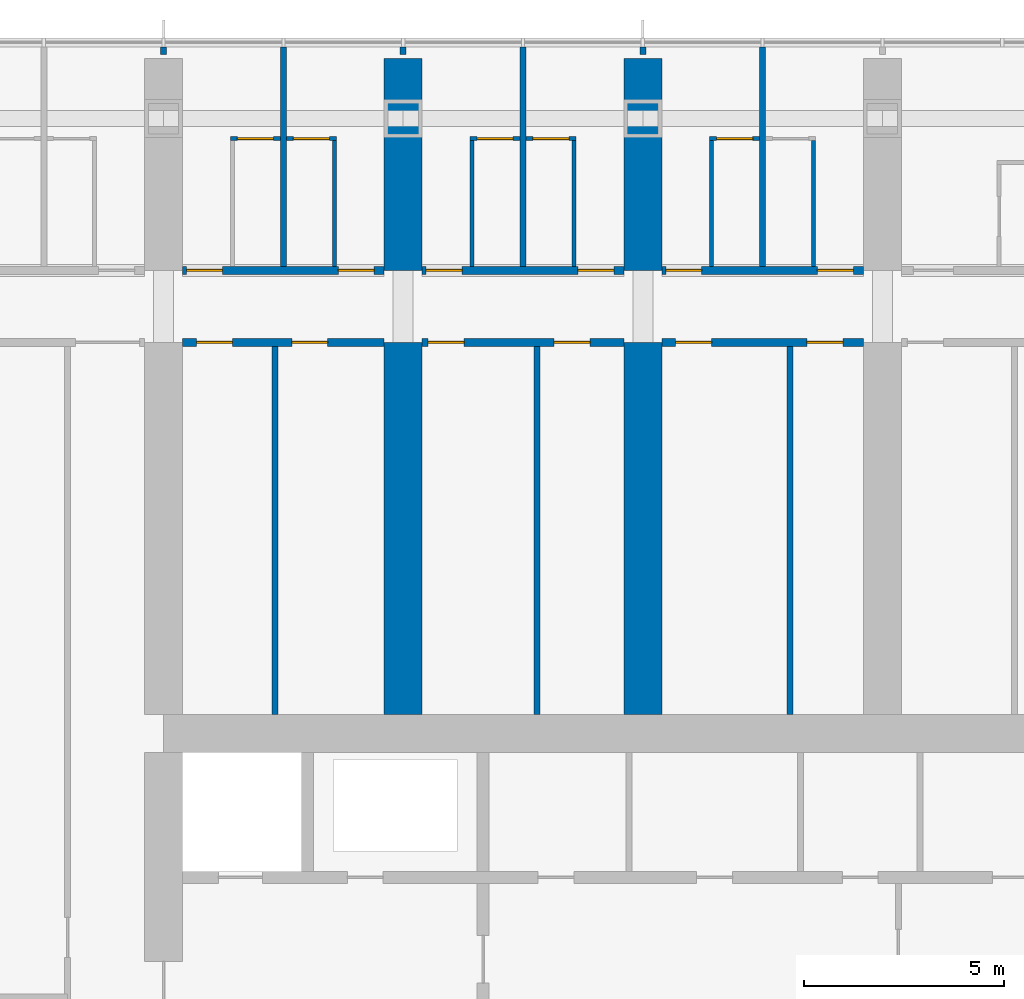
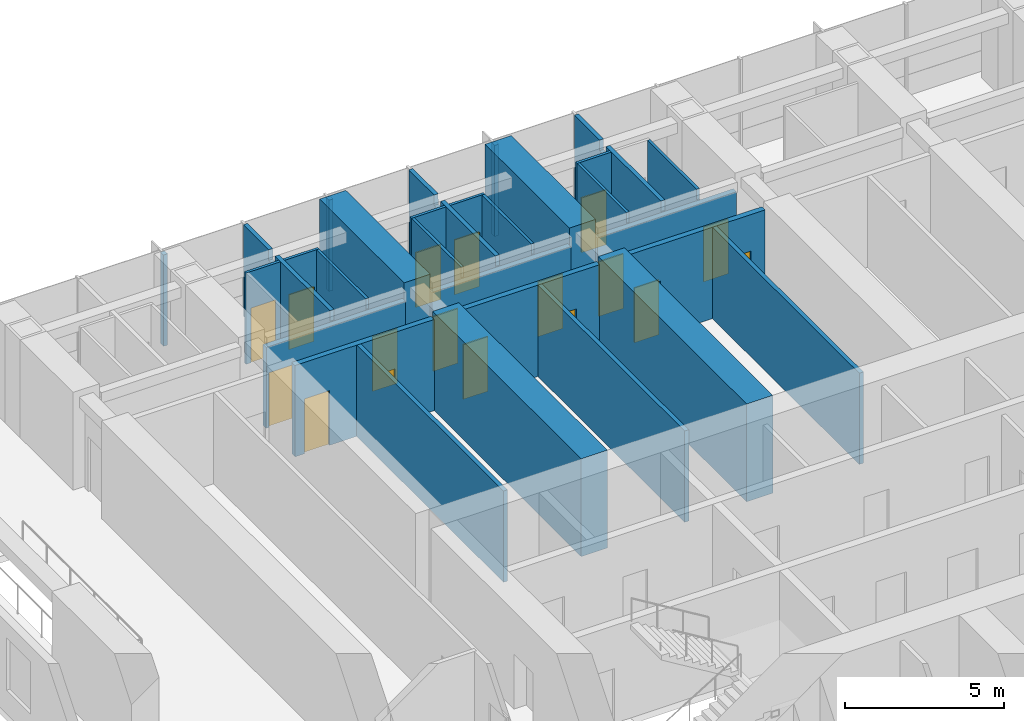
# One storey, part 14 of 22: 29 walls, 17 doors, 17 openings.
"""IFC4 building model written with IfcOpenShell, lengths in metres."""

from ifc_helpers import new_model, si_unit, direction, frame, frame_2d, origin, place, context, subcontext, project, spatial, polyline, rectangle, outline, extrude, material, layer, layer_set, type_object, element, fill, save


model = new_model("IFC4")

# Units and contexts
model_context = context("Model", 3, precision=1e-05, world=origin(), true_north=direction((0.0, 1.0)))
body_context = subcontext(model_context, "Body", "Model", "MODEL_VIEW")
ifc_project = project(units=[si_unit("LENGTHUNIT", "METRE"), si_unit("AREAUNIT", "SQUARE_METRE"), si_unit("VOLUMEUNIT", "CUBIC_METRE"), si_unit("PLANEANGLEUNIT", "RADIAN"), si_unit("MASSUNIT", "GRAM", prefix="KILO")], contexts=[model_context])

# Site, building, storey
site_placement = place(None, origin())
site = spatial("IfcSite", under=ifc_project, at=site_placement, CompositionType="ELEMENT")
building_placement = place(site_placement, origin())
building = spatial("IfcBuilding", under=site, at=building_placement, Name="Orbita Commons", CompositionType="ELEMENT")
storey_placement = place(building_placement, frame((0.0, 0.0, 118.14990234375)))
storey = spatial("IfcBuildingStorey", under=building, at=storey_placement, Name="L29", CompositionType="ELEMENT", Elevation=118.14990234375)

# Wall, openings, doors
ifc_material_1 = material(Name="Concrete blockwork", Category="masonry")
ifc_layer_1 = layer(ifc_material_1, 0.199951171875)
ifc_layer_set_1 = layer_set([ifc_layer_1], Name="Concrete blockwork")
wall_type_1 = type_object("IfcWallType", Name="Corridor wall 200 blockwork", PredefinedType="SOLIDWALL", material=ifc_layer_set_1)
wall_1_placement = place(storey_placement, frame((18.47509765625, 49.800048828125, 0.0), z_axis=(0.0, 0.0, 1.0), x_axis=(1.0, 0.0, 0.0)))
wall_1 = element("IfcWall", 1, at=wall_1_placement, inside=storey, type_object=wall_type_1, Name="Corridor wall 200 blockwork L29", PredefinedType="SOLIDWALL", context=body_context, shape_type="SweptSolid", body=[
    extrude(outline(polyline([(0.0, 0.0), (5.0498046875, 0.0), (5.050048828125, 3.10009765625), (0.0, 3.10009765625), (0.0, 0.0)])), frame((0.0, 0.10009765625, 0.0), z_axis=(0.0, -1.0, 0.0), x_axis=(1.0, 0.0, 0.0)), (0.0, 0.0, 1.0), 0.199951171875),
])
opening_1_placement = place(wall_1_placement, frame((0.10009765625, 0.0, 0.0)))
opening_1 = element("IfcOpeningElement", 2, at=opening_1_placement, cuts=wall_1, Name="Opening D11", PredefinedType="OPENING", context=body_context, shape_type="SweptSolid", body=[
    extrude(rectangle(XDim=0.89990234375, YDim=2.10009765625, at=frame_2d((0.449951171875, 1.050048828125))), frame((0.0, 0.10986328125, 0.0), z_axis=(0.0, -1.0, 0.0), x_axis=(1.0, 0.0, 0.0)), (0.0, 0.0, 1.0), 0.219970703125),
])
opening_2_placement = place(wall_1_placement, frame((3.89990234375, 0.0, 0.0)))
opening_2 = element("IfcOpeningElement", 3, at=opening_2_placement, cuts=wall_1, Name="Opening D11", PredefinedType="OPENING", context=body_context, shape_type="SweptSolid", body=[
    extrude(rectangle(XDim=0.89990234375, YDim=2.10009765625, at=frame_2d((0.449951171875, 1.050048828125))), frame((0.0, 0.10986328125, 0.0), z_axis=(0.0, -1.0, 0.0), x_axis=(1.0, 0.0, 0.0)), (0.0, 0.0, 1.0), 0.219970703125),
])
ifc_material_2 = material(Name="Steel-faced fire door leaf", Category="steel")
door_type_1 = type_object("IfcDoorType", Name="Corridor door 20 min 900x2100", OperationType="SINGLE_SWING_LEFT", PredefinedType="DOOR", material=ifc_material_2)
door_1_placement = place(opening_1_placement, origin())
door_1 = element("IfcDoor", 4, at=door_1_placement, inside=storey, type_object=door_type_1, Name="Cluster bedroom L29-N02 door", OperationType="SINGLE_SWING_LEFT", OverallHeight=2.10009765625, OverallWidth=0.89990234375, PredefinedType="DOOR", context=body_context, shape_type="SweptSolid", body=[
    extrude(rectangle(XDim=0.89990234375, YDim=2.10009765625, at=frame_2d((0.449951171875, 1.050048828125))), frame((0.0, 0.02490234375, 0.0), z_axis=(0.0, -1.0, 0.0), x_axis=(1.0, 0.0, 0.0)), (0.0, 0.0, 1.0), 0.050048828125),
])
fill(opening_1, door_1)
door_2_placement = place(opening_2_placement, origin())
door_2 = element("IfcDoor", 5, at=door_2_placement, inside=storey, type_object=door_type_1, Name="Cluster bedroom L29-N03 door", OperationType="SINGLE_SWING_LEFT", OverallHeight=2.10009765625, OverallWidth=0.89990234375, PredefinedType="DOOR", context=body_context, shape_type="SweptSolid", body=[
    extrude(rectangle(XDim=0.89990234375, YDim=2.10009765625, at=frame_2d((0.449951171875, 1.050048828125))), frame((0.0, 0.02490234375, 0.0), z_axis=(0.0, -1.0, 0.0), x_axis=(1.0, 0.0, 0.0)), (0.0, 0.0, 1.0), 0.050048828125),
])
fill(opening_2, door_2)

wall_2_placement = place(storey_placement, frame((24.47509765625, 49.800048828125, 0.0), z_axis=(0.0, 0.0, 1.0), x_axis=(1.0, 0.0, 0.0)))
wall_2 = element("IfcWall", 6, at=wall_2_placement, inside=storey, type_object=wall_type_1, Name="Corridor wall 200 blockwork L29", PredefinedType="SOLIDWALL", context=body_context, shape_type="SweptSolid", body=[
    extrude(outline(polyline([(0.0, 0.0), (5.0498046875, 0.0), (5.050048828125, 3.10009765625), (0.0, 3.10009765625), (0.0, 0.0)])), frame((0.0, 0.10009765625, 0.0), z_axis=(0.0, -1.0, 0.0), x_axis=(1.0, 0.0, 0.0)), (0.0, 0.0, 1.0), 0.199951171875),
])
opening_3_placement = place(wall_2_placement, frame((0.10009765625, 0.0, 0.0)))
opening_3 = element("IfcOpeningElement", 7, at=opening_3_placement, cuts=wall_2, Name="Opening D11", PredefinedType="OPENING", context=body_context, shape_type="SweptSolid", body=[
    extrude(rectangle(XDim=0.89990234375, YDim=2.10009765625, at=frame_2d((0.449951171875, 1.050048828125))), frame((0.0, 0.10986328125, 0.0), z_axis=(0.0, -1.0, 0.0), x_axis=(1.0, 0.0, 0.0)), (0.0, 0.0, 1.0), 0.219970703125),
])
opening_4_placement = place(wall_2_placement, frame((3.89990234375, 0.0, 0.0)))
opening_4 = element("IfcOpeningElement", 8, at=opening_4_placement, cuts=wall_2, Name="Opening D11", PredefinedType="OPENING", context=body_context, shape_type="SweptSolid", body=[
    extrude(rectangle(XDim=0.89990234375, YDim=2.10009765625, at=frame_2d((0.449951171875, 1.050048828125))), frame((0.0, 0.10986328125, 0.0), z_axis=(0.0, -1.0, 0.0), x_axis=(1.0, 0.0, 0.0)), (0.0, 0.0, 1.0), 0.219970703125),
])
door_3_placement = place(opening_3_placement, origin())
door_3 = element("IfcDoor", 9, at=door_3_placement, inside=storey, type_object=door_type_1, Name="Cluster bedroom L29-N04 door", OperationType="SINGLE_SWING_LEFT", OverallHeight=2.10009765625, OverallWidth=0.89990234375, PredefinedType="DOOR", context=body_context, shape_type="SweptSolid", body=[
    extrude(rectangle(XDim=0.89990234375, YDim=2.10009765625, at=frame_2d((0.449951171875, 1.050048828125))), frame((0.0, 0.02490234375, 0.0), z_axis=(0.0, -1.0, 0.0), x_axis=(1.0, 0.0, 0.0)), (0.0, 0.0, 1.0), 0.050048828125),
])
fill(opening_3, door_3)
door_4_placement = place(opening_4_placement, origin())
door_4 = element("IfcDoor", 10, at=door_4_placement, inside=storey, type_object=door_type_1, Name="Cluster bedroom L29-N05 door", OperationType="SINGLE_SWING_LEFT", OverallHeight=2.10009765625, OverallWidth=0.89990234375, PredefinedType="DOOR", context=body_context, shape_type="SweptSolid", body=[
    extrude(rectangle(XDim=0.89990234375, YDim=2.10009765625, at=frame_2d((0.449951171875, 1.050048828125))), frame((0.0, 0.02490234375, 0.0), z_axis=(0.0, -1.0, 0.0), x_axis=(1.0, 0.0, 0.0)), (0.0, 0.0, 1.0), 0.050048828125),
])
fill(opening_4, door_4)

wall_3_placement = place(storey_placement, frame((30.47509765625, 49.800048828125, 0.0), z_axis=(0.0, 0.0, 1.0), x_axis=(1.0, 0.0, 0.0)))
wall_3 = element("IfcWall", 11, at=wall_3_placement, inside=storey, type_object=wall_type_1, Name="Corridor wall 200 blockwork L29", PredefinedType="SOLIDWALL", context=body_context, shape_type="SweptSolid", body=[
    extrude(outline(polyline([(0.0, 0.0), (5.0498046875, 0.0), (5.050048828125, 3.10009765625), (0.0, 3.10009765625), (0.0, 0.0)])), frame((0.0, 0.10009765625, 0.0), z_axis=(0.0, -1.0, 0.0), x_axis=(1.0, 0.0, 0.0)), (0.0, 0.0, 1.0), 0.199951171875),
])
opening_5_placement = place(wall_3_placement, frame((0.10009765625, 0.0, 0.0)))
opening_5 = element("IfcOpeningElement", 12, at=opening_5_placement, cuts=wall_3, Name="Opening D11", PredefinedType="OPENING", context=body_context, shape_type="SweptSolid", body=[
    extrude(rectangle(XDim=0.89990234375, YDim=2.10009765625, at=frame_2d((0.449951171875, 1.050048828125))), frame((0.0, 0.10986328125, 0.0), z_axis=(0.0, -1.0, 0.0), x_axis=(1.0, 0.0, 0.0)), (0.0, 0.0, 1.0), 0.219970703125),
])
opening_6_placement = place(wall_3_placement, frame((3.89990234375, 0.0, 0.0)))
opening_6 = element("IfcOpeningElement", 13, at=opening_6_placement, cuts=wall_3, Name="Opening D11", PredefinedType="OPENING", context=body_context, shape_type="SweptSolid", body=[
    extrude(rectangle(XDim=0.89990234375, YDim=2.10009765625, at=frame_2d((0.449951171875, 1.050048828125))), frame((0.0, 0.10986328125, 0.0), z_axis=(0.0, -1.0, 0.0), x_axis=(1.0, 0.0, 0.0)), (0.0, 0.0, 1.0), 0.219970703125),
])
door_5_placement = place(opening_5_placement, origin())
door_5 = element("IfcDoor", 14, at=door_5_placement, inside=storey, type_object=door_type_1, Name="Cluster bedroom L29-N06 door", OperationType="SINGLE_SWING_LEFT", OverallHeight=2.10009765625, OverallWidth=0.89990234375, PredefinedType="DOOR", context=body_context, shape_type="SweptSolid", body=[
    extrude(rectangle(XDim=0.89990234375, YDim=2.10009765625, at=frame_2d((0.449951171875, 1.050048828125))), frame((0.0, 0.02490234375, 0.0), z_axis=(0.0, -1.0, 0.0), x_axis=(1.0, 0.0, 0.0)), (0.0, 0.0, 1.0), 0.050048828125),
])
fill(opening_5, door_5)
door_6_placement = place(opening_6_placement, origin())
door_6 = element("IfcDoor", 15, at=door_6_placement, inside=storey, type_object=door_type_1, Name="Cluster bedroom L29-N07 door", OperationType="SINGLE_SWING_LEFT", OverallHeight=2.10009765625, OverallWidth=0.89990234375, PredefinedType="DOOR", context=body_context, shape_type="SweptSolid", body=[
    extrude(rectangle(XDim=0.89990234375, YDim=2.10009765625, at=frame_2d((0.449951171875, 1.050048828125))), frame((0.0, 0.02490234375, 0.0), z_axis=(0.0, -1.0, 0.0), x_axis=(1.0, 0.0, 0.0)), (0.0, 0.0, 1.0), 0.050048828125),
])
fill(opening_6, door_6)

ifc_material_3 = material(Name="Hollow concrete block 200", Category="concrete")
ifc_layer_2 = layer(ifc_material_3, 0.199951171875)
ifc_layer_set_2 = layer_set([ifc_layer_2], Name="Hollow concrete block 200")
wall_type_2 = type_object("IfcWallType", Name="Corridor wall 200 hollow concrete block", PredefinedType="SOLIDWALL", material=ifc_layer_set_2)
wall_4_placement = place(storey_placement, frame((18.47509765625, 48.0, 0.0), z_axis=(0.0, 0.0, 1.0), x_axis=(1.0, 0.0, 0.0)))
wall_4 = element("IfcWall", 16, at=wall_4_placement, inside=storey, type_object=wall_type_2, Name="Corridor wall 200 hollow concrete block L29", PredefinedType="SOLIDWALL", context=body_context, shape_type="SweptSolid", body=[
    extrude(rectangle(XDim=5.0498046875, YDim=0.199951171875, at=frame_2d((2.52490234375, 0.0))), origin(), (0.0, 0.0, 1.0), 3.5),
])
opening_7_placement = place(wall_4_placement, frame((0.35009765625, 0.0, 0.0)))
opening_7 = element("IfcOpeningElement", 17, at=opening_7_placement, cuts=wall_4, Name="Opening D11", PredefinedType="OPENING", context=body_context, shape_type="SweptSolid", body=[
    extrude(rectangle(XDim=0.89990234375, YDim=2.10009765625, at=frame_2d((0.449951171875, 1.050048828125))), frame((0.0, 0.10986328125, 0.0), z_axis=(0.0, -1.0, 0.0), x_axis=(1.0, 0.0, 0.0)), (0.0, 0.0, 1.0), 0.219970703125),
])
opening_8_placement = place(wall_4_placement, frame((2.735107421875, 0.0, 0.0)))
opening_8 = element("IfcOpeningElement", 18, at=opening_8_placement, cuts=wall_4, Name="Opening D11", PredefinedType="OPENING", context=body_context, shape_type="SweptSolid", body=[
    extrude(rectangle(XDim=0.89990234375, YDim=2.10009765625, at=frame_2d((0.449951171875, 1.050048828125))), frame((0.0, 0.10986328125, 0.0), z_axis=(0.0, -1.0, 0.0), x_axis=(1.0, 0.0, 0.0)), (0.0, 0.0, 1.0), 0.219970703125),
])
door_7_placement = place(opening_7_placement, origin())
door_7 = element("IfcDoor", 19, at=door_7_placement, inside=storey, type_object=door_type_1, Name="Equipment store L29-BDN18n door", OperationType="SINGLE_SWING_LEFT", OverallHeight=2.10009765625, OverallWidth=0.89990234375, PredefinedType="DOOR", context=body_context, shape_type="SweptSolid", body=[
    extrude(rectangle(XDim=0.89990234375, YDim=2.10009765625, at=frame_2d((0.449951171875, 1.050048828125))), frame((0.0, 0.02490234375, 0.0), z_axis=(0.0, -1.0, 0.0), x_axis=(1.0, 0.0, 0.0)), (0.0, 0.0, 1.0), 0.050048828125),
])
fill(opening_7, door_7)
door_8_placement = place(opening_8_placement, origin())
door_8 = element("IfcDoor", 20, at=door_8_placement, inside=storey, type_object=door_type_1, Name="Refuse and recycling room L29-BDN18 door", OperationType="SINGLE_SWING_LEFT", OverallHeight=2.10009765625, OverallWidth=0.89990234375, PredefinedType="DOOR", context=body_context, shape_type="SweptSolid", body=[
    extrude(rectangle(XDim=0.89990234375, YDim=2.10009765625, at=frame_2d((0.449951171875, 1.050048828125))), frame((0.0, 0.02490234375, 0.0), z_axis=(0.0, -1.0, 0.0), x_axis=(1.0, 0.0, 0.0)), (0.0, 0.0, 1.0), 0.050048828125),
])
fill(opening_8, door_8)

wall_5_placement = place(storey_placement, frame((24.47509765625, 48.0, 0.0), z_axis=(0.0, 0.0, 1.0), x_axis=(1.0, 0.0, 0.0)))
wall_5 = element("IfcWall", 21, at=wall_5_placement, inside=storey, type_object=wall_type_2, Name="Corridor wall 200 hollow concrete block L29", PredefinedType="SOLIDWALL", context=body_context, shape_type="SweptSolid", body=[
    extrude(rectangle(XDim=5.0498046875, YDim=0.199951171875, at=frame_2d((2.52490234375, 0.0))), origin(), (0.0, 0.0, 1.0), 3.5),
])
opening_9_placement = place(wall_5_placement, frame((0.14990234375, 0.0, 0.0)))
opening_9 = element("IfcOpeningElement", 22, at=opening_9_placement, cuts=wall_5, Name="Opening D11", PredefinedType="OPENING", context=body_context, shape_type="SweptSolid", body=[
    extrude(rectangle(XDim=0.89990234375, YDim=2.10009765625, at=frame_2d((0.449951171875, 1.050048828125))), frame((0.0, 0.10986328125, 0.0), z_axis=(0.0, -1.0, 0.0), x_axis=(1.0, 0.0, 0.0)), (0.0, 0.0, 1.0), 0.219970703125),
])
opening_10_placement = place(wall_5_placement, frame((3.304931640625, 0.0, 0.0)))
opening_10 = element("IfcOpeningElement", 23, at=opening_10_placement, cuts=wall_5, Name="Opening D11", PredefinedType="OPENING", context=body_context, shape_type="SweptSolid", body=[
    extrude(rectangle(XDim=0.89990234375, YDim=2.10009765625, at=frame_2d((0.449951171875, 1.050048828125))), frame((0.0, 0.10986328125, 0.0), z_axis=(0.0, -1.0, 0.0), x_axis=(1.0, 0.0, 0.0)), (0.0, 0.0, 1.0), 0.219970703125),
])
door_9_placement = place(opening_9_placement, origin())
door_9 = element("IfcDoor", 24, at=door_9_placement, inside=storey, type_object=door_type_1, Name="Drying room L29-BDN24 door", OperationType="SINGLE_SWING_LEFT", OverallHeight=2.10009765625, OverallWidth=0.89990234375, PredefinedType="DOOR", context=body_context, shape_type="SweptSolid", body=[
    extrude(rectangle(XDim=0.89990234375, YDim=2.10009765625, at=frame_2d((0.449951171875, 1.050048828125))), frame((0.0, 0.02490234375, 0.0), z_axis=(0.0, -1.0, 0.0), x_axis=(1.0, 0.0, 0.0)), (0.0, 0.0, 1.0), 0.050048828125),
])
fill(opening_9, door_9)
door_10_placement = place(opening_10_placement, origin())
door_10 = element("IfcDoor", 25, at=door_10_placement, inside=storey, type_object=door_type_1, Name="Battery and UPS room L29-BDN24n door", OperationType="SINGLE_SWING_LEFT", OverallHeight=2.10009765625, OverallWidth=0.89990234375, PredefinedType="DOOR", context=body_context, shape_type="SweptSolid", body=[
    extrude(rectangle(XDim=0.89990234375, YDim=2.10009765625, at=frame_2d((0.449951171875, 1.050048828125))), frame((0.0, 0.02490234375, 0.0), z_axis=(0.0, -1.0, 0.0), x_axis=(1.0, 0.0, 0.0)), (0.0, 0.0, 1.0), 0.050048828125),
])
fill(opening_10, door_10)

wall_6_placement = place(storey_placement, frame((30.47509765625, 48.0, 0.0), z_axis=(0.0, 0.0, 1.0), x_axis=(1.0, 0.0, 0.0)))
wall_6 = element("IfcWall", 26, at=wall_6_placement, inside=storey, type_object=wall_type_2, Name="Corridor wall 200 hollow concrete block L29", PredefinedType="SOLIDWALL", context=body_context, shape_type="SweptSolid", body=[
    extrude(rectangle(XDim=5.0498046875, YDim=0.199951171875, at=frame_2d((2.52490234375, 0.0))), origin(), (0.0, 0.0, 1.0), 3.5),
])
opening_11_placement = place(wall_6_placement, frame((0.35009765625, 0.0, 0.0)))
opening_11 = element("IfcOpeningElement", 27, at=opening_11_placement, cuts=wall_6, Name="Opening D11", PredefinedType="OPENING", context=body_context, shape_type="SweptSolid", body=[
    extrude(rectangle(XDim=0.89990234375, YDim=2.10009765625, at=frame_2d((0.449951171875, 1.050048828125))), frame((0.0, 0.10986328125, 0.0), z_axis=(0.0, -1.0, 0.0), x_axis=(1.0, 0.0, 0.0)), (0.0, 0.0, 1.0), 0.219970703125),
])
opening_12_placement = place(wall_6_placement, frame((3.635009765625, 0.0, 0.0)))
opening_12 = element("IfcOpeningElement", 28, at=opening_12_placement, cuts=wall_6, Name="Opening D11", PredefinedType="OPENING", context=body_context, shape_type="SweptSolid", body=[
    extrude(rectangle(XDim=0.89990234375, YDim=2.10009765625, at=frame_2d((0.449951171875, 1.050048828125))), frame((0.0, 0.10986328125, 0.0), z_axis=(0.0, -1.0, 0.0), x_axis=(1.0, 0.0, 0.0)), (0.0, 0.0, 1.0), 0.219970703125),
])
door_11_placement = place(opening_11_placement, origin())
door_11 = element("IfcDoor", 29, at=door_11_placement, inside=storey, type_object=door_type_1, Name="IT and print room L29-BDN30 door", OperationType="SINGLE_SWING_LEFT", OverallHeight=2.10009765625, OverallWidth=0.89990234375, PredefinedType="DOOR", context=body_context, shape_type="SweptSolid", body=[
    extrude(rectangle(XDim=0.89990234375, YDim=2.10009765625, at=frame_2d((0.449951171875, 1.050048828125))), frame((0.0, 0.02490234375, 0.0), z_axis=(0.0, -1.0, 0.0), x_axis=(1.0, 0.0, 0.0)), (0.0, 0.0, 1.0), 0.050048828125),
])
fill(opening_11, door_11)
door_12_placement = place(opening_12_placement, origin())
door_12 = element("IfcDoor", 30, at=door_12_placement, inside=storey, type_object=door_type_1, Name="Sprinkler valve room L29-BDN30n door", OperationType="SINGLE_SWING_LEFT", OverallHeight=2.10009765625, OverallWidth=0.89990234375, PredefinedType="DOOR", context=body_context, shape_type="SweptSolid", body=[
    extrude(rectangle(XDim=0.89990234375, YDim=2.10009765625, at=frame_2d((0.449951171875, 1.050048828125))), frame((0.0, 0.02490234375, 0.0), z_axis=(0.0, -1.0, 0.0), x_axis=(1.0, 0.0, 0.0)), (0.0, 0.0, 1.0), 0.050048828125),
])
fill(opening_12, door_12)

# Walls
ifc_material_4 = material(Name="Concrete C50/60", Category="concrete")
ifc_layer_3 = layer(ifc_material_4, 0.949951171875)
ifc_layer_set_3 = layer_set([ifc_layer_3], Name="Concrete C50/60")
wall_type_3 = type_object("IfcWallType", Name="Cross wall 950 C50/60", PredefinedType="SHEAR", material=ifc_layer_set_3)
wall_7_placement = place(storey_placement, frame((24.0, 49.800048828125, 0.0), z_axis=(0.0, 0.0, 1.0), x_axis=(0.0, 1.0, 0.0)))
element("IfcWall", 31, at=wall_7_placement, inside=storey, type_object=wall_type_3, Name="Cross wall 5 north outer L29", PredefinedType="SHEAR", context=body_context, shape_type="SweptSolid", body=[
    extrude(rectangle(XDim=5.300048828125, YDim=0.949951171875, at=frame_2d((2.64990234375, 0.0))), origin(), (0.0, 0.0, 1.0), 3.75),
])
wall_8_placement = place(storey_placement, frame((24.0, 38.675048828125, 0.0), z_axis=(0.0, 0.0, 1.0), x_axis=(0.0, 1.0, 0.0)))
element("IfcWall", 32, at=wall_8_placement, inside=storey, type_object=wall_type_3, Name="Cross wall 5 north inner L29", PredefinedType="SHEAR", context=body_context, shape_type="SweptSolid", body=[
    extrude(rectangle(XDim=9.324951171875, YDim=0.949951171875, at=frame_2d((4.66259765625, 0.0))), origin(), (0.0, 0.0, 1.0), 3.75),
])
wall_9_placement = place(storey_placement, frame((30.0, 49.800048828125, 0.0), z_axis=(0.0, 0.0, 1.0), x_axis=(0.0, 1.0, 0.0)))
element("IfcWall", 33, at=wall_9_placement, inside=storey, type_object=wall_type_3, Name="Cross wall 6 north outer L29", PredefinedType="SHEAR", context=body_context, shape_type="SweptSolid", body=[
    extrude(rectangle(XDim=5.300048828125, YDim=0.949951171875, at=frame_2d((2.64990234375, 0.0))), origin(), (0.0, 0.0, 1.0), 3.75),
])
wall_10_placement = place(storey_placement, frame((30.0, 38.675048828125, 0.0), z_axis=(0.0, 0.0, 1.0), x_axis=(0.0, 1.0, 0.0)))
element("IfcWall", 34, at=wall_10_placement, inside=storey, type_object=wall_type_3, Name="Cross wall 6 north inner L29", PredefinedType="SHEAR", context=body_context, shape_type="SweptSolid", body=[
    extrude(rectangle(XDim=9.324951171875, YDim=0.949951171875, at=frame_2d((4.66259765625, 0.0))), origin(), (0.0, 0.0, 1.0), 3.75),
])

# Wall, opening, door
ifc_material_5 = material(Name="Moisture-resistant plasterboard on steel studs", Category="steel")
ifc_layer_4 = layer(ifc_material_5, 0.10009765625)
ifc_layer_set_4 = layer_set([ifc_layer_4], Name="Moisture-resistant plasterboard on steel studs")
wall_type_4 = type_object("IfcWallType", Name="En-suite partition 100", PredefinedType="PARTITIONING", material=ifc_layer_set_4)
wall_11_placement = place(storey_placement, frame((19.675048828125, 53.10009765625, 0.0), z_axis=(0.0, 0.0, 1.0), x_axis=(1.0, 0.0, 0.0)))
wall_11 = element("IfcWall", 35, at=wall_11_placement, inside=storey, type_object=wall_type_4, Name="En-suite partition 100 L29", PredefinedType="PARTITIONING", context=body_context, shape_type="SweptSolid", body=[
    extrude(rectangle(XDim=1.25, YDim=0.10009765625, at=frame_2d((0.625, 0.0))), origin(), (0.0, 0.0, 1.0), 3.5),
])
opening_13_placement = place(wall_11_placement, frame((0.175048828125, 0.0, 0.0)))
opening_13 = element("IfcOpeningElement", 36, at=opening_13_placement, cuts=wall_11, Name="Opening D09", PredefinedType="OPENING", context=body_context, shape_type="SweptSolid", body=[
    extrude(rectangle(XDim=0.89990234375, YDim=2.10009765625, at=frame_2d((0.449951171875, 1.050048828125))), frame((0.0, 0.06005859375, 0.0), z_axis=(0.0, -1.0, 0.0), x_axis=(1.0, 0.0, 0.0)), (0.0, 0.0, 1.0), 0.1201171875),
])
ifc_material_6 = material(Name="Laminated timber door leaf", Category="wood")
door_type_2 = type_object("IfcDoorType", Name="En-suite door 900x2100", OperationType="SINGLE_SWING_RIGHT", PredefinedType="DOOR", material=ifc_material_6)
door_13_placement = place(opening_13_placement, origin())
door_13 = element("IfcDoor", 37, at=door_13_placement, inside=storey, type_object=door_type_2, Name="En-suite L29-N02 door", OperationType="SINGLE_SWING_RIGHT", OverallHeight=2.10009765625, OverallWidth=0.89990234375, PredefinedType="DOOR", context=body_context, shape_type="SweptSolid", body=[
    extrude(rectangle(XDim=0.89990234375, YDim=2.10009765625, at=frame_2d((0.449951171875, 1.050048828125))), frame((0.0, 0.02490234375, 0.0), z_axis=(0.0, -1.0, 0.0), x_axis=(1.0, 0.0, 0.0)), (0.0, 0.0, 1.0), 0.050048828125),
])
fill(opening_13, door_13)

wall_12_placement = place(storey_placement, frame((21.074951171875, 53.10009765625, 0.0), z_axis=(0.0, 0.0, 1.0), x_axis=(1.0, 0.0, 0.0)))
wall_12 = element("IfcWall", 38, at=wall_12_placement, inside=storey, type_object=wall_type_4, Name="En-suite partition 100 L29", PredefinedType="PARTITIONING", context=body_context, shape_type="SweptSolid", body=[
    extrude(rectangle(XDim=1.25, YDim=0.10009765625, at=frame_2d((0.625, 0.0))), origin(), (0.0, 0.0, 1.0), 3.5),
])
opening_14_placement = place(wall_12_placement, frame((0.175048828125, 0.0, 0.0)))
opening_14 = element("IfcOpeningElement", 39, at=opening_14_placement, cuts=wall_12, Name="Opening D09", PredefinedType="OPENING", context=body_context, shape_type="SweptSolid", body=[
    extrude(rectangle(XDim=0.89990234375, YDim=2.10009765625, at=frame_2d((0.449951171875, 1.050048828125))), frame((0.0, 0.06005859375, 0.0), z_axis=(0.0, -1.0, 0.0), x_axis=(1.0, 0.0, 0.0)), (0.0, 0.0, 1.0), 0.1201171875),
])
door_14_placement = place(opening_14_placement, origin())
door_14 = element("IfcDoor", 40, at=door_14_placement, inside=storey, type_object=door_type_2, Name="En-suite L29-N03 door", OperationType="SINGLE_SWING_RIGHT", OverallHeight=2.10009765625, OverallWidth=0.89990234375, PredefinedType="DOOR", context=body_context, shape_type="SweptSolid", body=[
    extrude(rectangle(XDim=0.89990234375, YDim=2.10009765625, at=frame_2d((0.449951171875, 1.050048828125))), frame((0.0, 0.02490234375, 0.0), z_axis=(0.0, -1.0, 0.0), x_axis=(1.0, 0.0, 0.0)), (0.0, 0.0, 1.0), 0.050048828125),
])
fill(opening_14, door_14)

# Wall
wall_13_placement = place(storey_placement, frame((22.27490234375, 53.050048828125, 0.0), z_axis=(0.0, 0.0, 1.0), x_axis=(0.0, -1.0, 0.0)))
element("IfcWall", 41, at=wall_13_placement, inside=storey, type_object=wall_type_4, Name="En-suite partition 100 L29", PredefinedType="PARTITIONING", context=body_context, shape_type="SweptSolid", body=[
    extrude(outline(polyline([(0.0, 0.0), (3.150146484375, 0.0), (3.14990234375, 3.10009765625), (3.10205078125, 3.10009765625), (3.10009765625, 3.5), (0.0, 3.5), (0.0, 0.0)])), frame((0.0, 0.050048828125, 0.0), z_axis=(0.0, -1.0, 0.0), x_axis=(1.0, 0.0, 0.0)), (0.0, 0.0, 1.0), 0.10009765625),
])

# Wall, opening, door
wall_14_placement = place(storey_placement, frame((25.675048828125, 53.10009765625, 0.0), z_axis=(0.0, 0.0, 1.0), x_axis=(1.0, 0.0, 0.0)))
wall_14 = element("IfcWall", 42, at=wall_14_placement, inside=storey, type_object=wall_type_4, Name="En-suite partition 100 L29", PredefinedType="PARTITIONING", context=body_context, shape_type="SweptSolid", body=[
    extrude(rectangle(XDim=1.25, YDim=0.10009765625, at=frame_2d((0.625, 0.0))), origin(), (0.0, 0.0, 1.0), 3.5),
])
opening_15_placement = place(wall_14_placement, frame((0.175048828125, 0.0, 0.0)))
opening_15 = element("IfcOpeningElement", 43, at=opening_15_placement, cuts=wall_14, Name="Opening D09", PredefinedType="OPENING", context=body_context, shape_type="SweptSolid", body=[
    extrude(rectangle(XDim=0.89990234375, YDim=2.10009765625, at=frame_2d((0.449951171875, 1.050048828125))), frame((0.0, 0.06005859375, 0.0), z_axis=(0.0, -1.0, 0.0), x_axis=(1.0, 0.0, 0.0)), (0.0, 0.0, 1.0), 0.1201171875),
])
door_15_placement = place(opening_15_placement, origin())
door_15 = element("IfcDoor", 44, at=door_15_placement, inside=storey, type_object=door_type_2, Name="En-suite L29-N04 door", OperationType="SINGLE_SWING_RIGHT", OverallHeight=2.10009765625, OverallWidth=0.89990234375, PredefinedType="DOOR", context=body_context, shape_type="SweptSolid", body=[
    extrude(rectangle(XDim=0.89990234375, YDim=2.10009765625, at=frame_2d((0.449951171875, 1.050048828125))), frame((0.0, 0.02490234375, 0.0), z_axis=(0.0, -1.0, 0.0), x_axis=(1.0, 0.0, 0.0)), (0.0, 0.0, 1.0), 0.050048828125),
])
fill(opening_15, door_15)

# Wall
wall_15_placement = place(storey_placement, frame((25.72509765625, 53.050048828125, 0.0), z_axis=(0.0, 0.0, 1.0), x_axis=(0.0, -1.0, 0.0)))
element("IfcWall", 45, at=wall_15_placement, inside=storey, type_object=wall_type_4, Name="En-suite partition 100 L29", PredefinedType="PARTITIONING", context=body_context, shape_type="SweptSolid", body=[
    extrude(outline(polyline([(0.0, 0.0), (3.150146484375, 0.0), (3.14990234375, 3.10009765625), (3.10205078125, 3.10009765625), (3.10009765625, 3.5), (0.0, 3.5), (0.0, 0.0)])), frame((0.0, 0.050048828125, 0.0), z_axis=(0.0, -1.0, 0.0), x_axis=(1.0, 0.0, 0.0)), (0.0, 0.0, 1.0), 0.10009765625),
])

# Wall, opening, door
wall_16_placement = place(storey_placement, frame((27.074951171875, 53.10009765625, 0.0), z_axis=(0.0, 0.0, 1.0), x_axis=(1.0, 0.0, 0.0)))
wall_16 = element("IfcWall", 46, at=wall_16_placement, inside=storey, type_object=wall_type_4, Name="En-suite partition 100 L29", PredefinedType="PARTITIONING", context=body_context, shape_type="SweptSolid", body=[
    extrude(rectangle(XDim=1.25, YDim=0.10009765625, at=frame_2d((0.625, 0.0))), origin(), (0.0, 0.0, 1.0), 3.5),
])
opening_16_placement = place(wall_16_placement, frame((0.175048828125, 0.0, 0.0)))
opening_16 = element("IfcOpeningElement", 47, at=opening_16_placement, cuts=wall_16, Name="Opening D09", PredefinedType="OPENING", context=body_context, shape_type="SweptSolid", body=[
    extrude(rectangle(XDim=0.89990234375, YDim=2.10009765625, at=frame_2d((0.449951171875, 1.050048828125))), frame((0.0, 0.06005859375, 0.0), z_axis=(0.0, -1.0, 0.0), x_axis=(1.0, 0.0, 0.0)), (0.0, 0.0, 1.0), 0.1201171875),
])
door_16_placement = place(opening_16_placement, origin())
door_16 = element("IfcDoor", 48, at=door_16_placement, inside=storey, type_object=door_type_2, Name="En-suite L29-N05 door", OperationType="SINGLE_SWING_RIGHT", OverallHeight=2.10009765625, OverallWidth=0.89990234375, PredefinedType="DOOR", context=body_context, shape_type="SweptSolid", body=[
    extrude(rectangle(XDim=0.89990234375, YDim=2.10009765625, at=frame_2d((0.449951171875, 1.050048828125))), frame((0.0, 0.02490234375, 0.0), z_axis=(0.0, -1.0, 0.0), x_axis=(1.0, 0.0, 0.0)), (0.0, 0.0, 1.0), 0.050048828125),
])
fill(opening_16, door_16)

# Wall
wall_17_placement = place(storey_placement, frame((28.27490234375, 53.050048828125, 0.0), z_axis=(0.0, 0.0, 1.0), x_axis=(0.0, -1.0, 0.0)))
element("IfcWall", 49, at=wall_17_placement, inside=storey, type_object=wall_type_4, Name="En-suite partition 100 L29", PredefinedType="PARTITIONING", context=body_context, shape_type="SweptSolid", body=[
    extrude(outline(polyline([(0.0, 0.0), (3.150146484375, 0.0), (3.14990234375, 3.10009765625), (3.10205078125, 3.10009765625), (3.10009765625, 3.5), (0.0, 3.5), (0.0, 0.0)])), frame((0.0, 0.050048828125, 0.0), z_axis=(0.0, -1.0, 0.0), x_axis=(1.0, 0.0, 0.0)), (0.0, 0.0, 1.0), 0.10009765625),
])

# Wall, opening, door
wall_18_placement = place(storey_placement, frame((31.675048828125, 53.10009765625, 0.0), z_axis=(0.0, 0.0, 1.0), x_axis=(1.0, 0.0, 0.0)))
wall_18 = element("IfcWall", 50, at=wall_18_placement, inside=storey, type_object=wall_type_4, Name="En-suite partition 100 L29", PredefinedType="PARTITIONING", context=body_context, shape_type="SweptSolid", body=[
    extrude(rectangle(XDim=1.25, YDim=0.10009765625, at=frame_2d((0.625, 0.0))), origin(), (0.0, 0.0, 1.0), 3.5),
])
opening_17_placement = place(wall_18_placement, frame((0.175048828125, 0.0, 0.0)))
opening_17 = element("IfcOpeningElement", 51, at=opening_17_placement, cuts=wall_18, Name="Opening D09", PredefinedType="OPENING", context=body_context, shape_type="SweptSolid", body=[
    extrude(rectangle(XDim=0.89990234375, YDim=2.10009765625, at=frame_2d((0.449951171875, 1.050048828125))), frame((0.0, 0.06005859375, 0.0), z_axis=(0.0, -1.0, 0.0), x_axis=(1.0, 0.0, 0.0)), (0.0, 0.0, 1.0), 0.1201171875),
])
door_17_placement = place(opening_17_placement, origin())
door_17 = element("IfcDoor", 52, at=door_17_placement, inside=storey, type_object=door_type_2, Name="En-suite L29-N06 door", OperationType="SINGLE_SWING_RIGHT", OverallHeight=2.10009765625, OverallWidth=0.89990234375, PredefinedType="DOOR", context=body_context, shape_type="SweptSolid", body=[
    extrude(rectangle(XDim=0.89990234375, YDim=2.10009765625, at=frame_2d((0.449951171875, 1.050048828125))), frame((0.0, 0.02490234375, 0.0), z_axis=(0.0, -1.0, 0.0), x_axis=(1.0, 0.0, 0.0)), (0.0, 0.0, 1.0), 0.050048828125),
])
fill(opening_17, door_17)

# Walls
for number, where, z_axis, x_axis, name in (
    (53, (31.72509765625, 53.050048828125, 0.0), (0.0, 0.0, 1.0), (0.0, -1.0, 0.0), "En-suite partition 100 L29"),
    (54, (34.27490234375, 53.050048828125, 0.0), (0.0, 0.0, 1.0), (0.0, -1.0, 0.0), "En-suite partition 100 L29"),
):
    element("IfcWall", number, at=place(storey_placement, frame(where, z_axis=z_axis, x_axis=x_axis)), inside=storey, type_object=wall_type_4, Name=name, PredefinedType="PARTITIONING", context=body_context, shape_type="SweptSolid", body=[
        extrude(outline(polyline([(0.0, 0.0), (3.150146484375, 0.0), (3.14990234375, 3.10009765625), (3.10205078125, 3.10009765625), (3.10009765625, 3.5), (0.0, 3.5), (0.0, 0.0)])), frame((0.0, 0.050048828125, 0.0), z_axis=(0.0, -1.0, 0.0), x_axis=(1.0, 0.0, 0.0)), (0.0, 0.0, 1.0), 0.10009765625),
    ])
ifc_material_7 = material(Name="Gypsum plasterboard on steel studs", Category="steel")
ifc_layer_5 = layer(ifc_material_7, 0.14990234375)
ifc_layer_set_5 = layer_set([ifc_layer_5], Name="Gypsum plasterboard on steel studs")
wall_type_5 = type_object("IfcWallType", Name="Partition 150 plasterboard", PredefinedType="PARTITIONING", material=ifc_layer_set_5)
for number, where, z_axis, x_axis, name in (
    (55, (20.784912109375, 38.675048828125, 0.0), (0.0, 0.0, 1.0), (0.0, 1.0, 0.0), "Partition 150 plasterboard L29"),
    (56, (27.35498046875, 38.675048828125, 0.0), (0.0, 0.0, 1.0), (0.0, 1.0, 0.0), "Partition 150 plasterboard L29"),
    (57, (33.68505859375, 38.675048828125, 0.0), (0.0, 0.0, 1.0), (0.0, 1.0, 0.0), "Partition 150 plasterboard L29"),
):
    element("IfcWall", number, at=place(storey_placement, frame(where, z_axis=z_axis, x_axis=x_axis)), inside=storey, type_object=wall_type_5, Name=name, PredefinedType="PARTITIONING", context=body_context, shape_type="SweptSolid", body=[
        extrude(rectangle(XDim=9.224853515625, YDim=0.14990234375, at=frame_2d((4.6123046875, 0.0))), origin(), (0.0, 0.0, 1.0), 3.5),
    ])
for number, where, z_axis, x_axis, name in (
    (58, (18.0, 55.199951171875, 0.0), (0.0, 0.0, 1.0), (0.0, 1.0, 0.0), "Partition 150 plasterboard L29"),
    (59, (24.0, 55.199951171875, 0.0), (0.0, 0.0, 1.0), (0.0, 1.0, 0.0), "Partition 150 plasterboard L29"),
    (60, (30.0, 55.199951171875, 0.0), (0.0, 0.0, 1.0), (0.0, 1.0, 0.0), "Partition 150 plasterboard L29"),
):
    element("IfcWall", number, at=place(storey_placement, frame(where, z_axis=z_axis, x_axis=x_axis)), inside=storey, type_object=wall_type_5, Name=name, PredefinedType="PARTITIONING", context=body_context, shape_type="SweptSolid", body=[
        extrude(rectangle(XDim=0.18994140625, YDim=0.14990234375, at=frame_2d((0.094970703125, 0.0))), origin(), (0.0, 0.0, 1.0), 3.5),
    ])
ifc_material_8 = material(Name="Gypsum plasterboard on steel studs", Category="steel")
ifc_layer_6 = layer(ifc_material_8, 0.14990234375)
ifc_layer_set_6 = layer_set([ifc_layer_6], Name="Gypsum plasterboard on steel studs")
wall_type_6 = type_object("IfcWallType", Name="Party wall 150 plasterboard", PredefinedType="PARTITIONING", material=ifc_layer_set_6)
for number, where, z_axis, x_axis, name in (
    (61, (21.0, 55.389892578125, 0.0), (0.0, 0.0, 1.0), (0.0, -1.0, 0.0), "Party wall 150 plasterboard L29"),
    (62, (27.0, 55.389892578125, 0.0), (0.0, 0.0, 1.0), (0.0, -1.0, 0.0), "Party wall 150 plasterboard L29"),
    (63, (33.0, 55.389892578125, 0.0), (0.0, 0.0, 1.0), (0.0, -1.0, 0.0), "Party wall 150 plasterboard L29"),
):
    element("IfcWall", number, at=place(storey_placement, frame(where, z_axis=z_axis, x_axis=x_axis)), inside=storey, type_object=wall_type_6, Name=name, PredefinedType="PARTITIONING", context=body_context, shape_type="SweptSolid", body=[
        extrude(outline(polyline([(0.0, 0.0), (5.489990234375, 0.0), (5.489990234375, 3.10009765625), (5.44189453125, 3.10009765625), (5.43994140625, 3.5), (1.991943359375, 3.5), (1.989990234375, 3.10009765625), (1.592041015625, 3.10009765625), (1.590087890625, 3.5), (0.0, 3.5), (0.0, 0.0)])), frame((0.0, 0.074951171875, 0.0), z_axis=(0.0, -1.0, 0.0), x_axis=(1.0, 0.0, 0.0)), (0.0, 0.0, 1.0), 0.14990234375),
    ])

save(model, "model.ifc")
